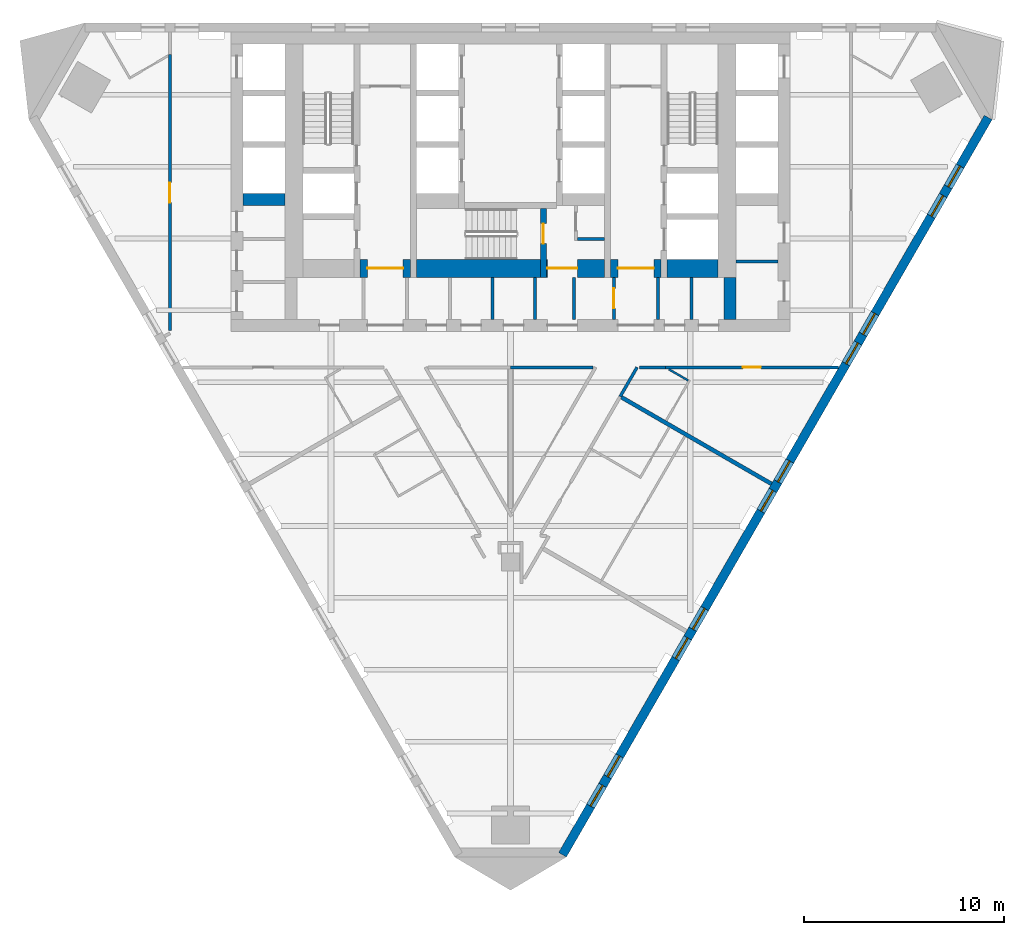
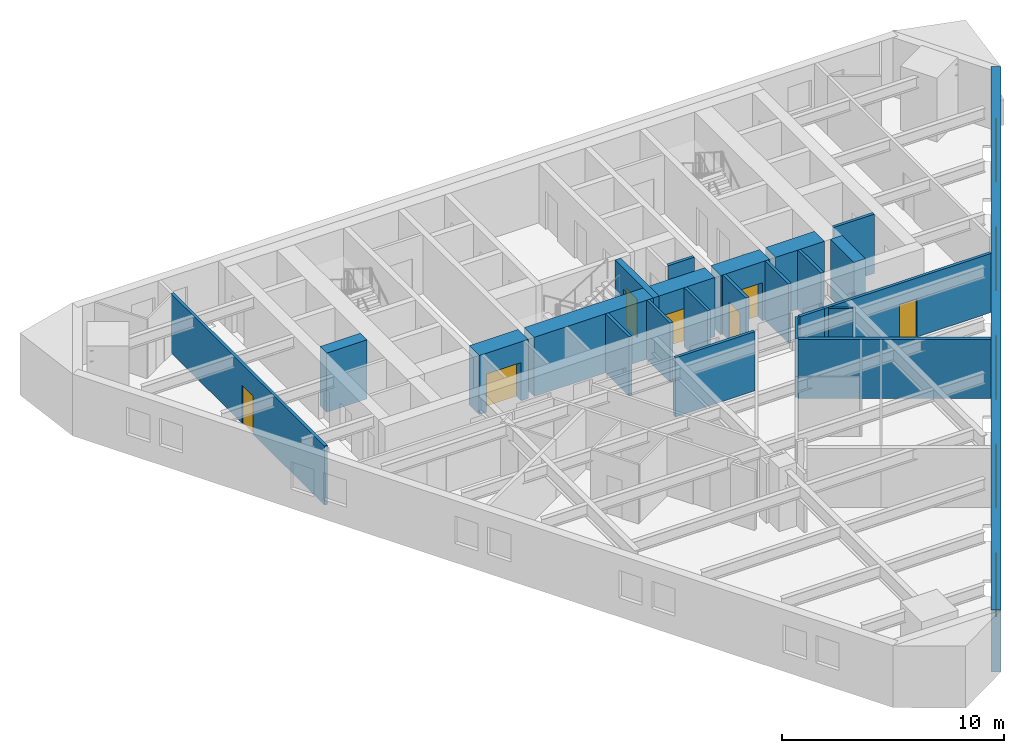
# One storey, part 4 of 9: 24 walls, 10 windows, 7 doors, 17 openings.
"""IFC4 building model written with IfcOpenShell, lengths in metres."""

import ifcopenshell
import ifcopenshell.guid

model = None  # the IFC model being written
_history = None  # IfcOwnerHistory: only IFC2X3 demands one
_inside = {}  # id of a spatial element -> (the spatial element, [elements in it])
_under = {}  # id of a project, library or spatial element -> (it, [spatial elements below it])
_declared = {}  # id of a project -> (the project, [libraries it declares])
_typed = {}  # id of a type object -> (the type object, [elements of that type])
_made_of = {}  # id of a material, layer set ... -> (it, [elements and type objects made of it])


def new_model(schema):
    """Start an empty IFC model of exactly this schema.

    Asked for "IFC4X3", IfcOpenShell would pick the latest addendum, in which some entities
    have other attributes; the version numbers below select the first issue.
    IFC2X3 requires an IfcOwnerHistory on every rooted entity: one is made here for all.
    """
    global model, _history
    if schema == "IFC4X3":
        model = ifcopenshell.file(schema_version=(4, 3, 0, 0))
    else:
        model = ifcopenshell.file(schema=schema)
    _inside.clear()
    _under.clear()
    _declared.clear()
    _typed.clear()
    _made_of.clear()
    _history = None
    if model.schema == "IFC2X3":
        org = make("IfcOrganization", Name="unknown")
        user = make(
            "IfcPersonAndOrganization",
            ThePerson=make("IfcPerson", FamilyName="unknown"),
            TheOrganization=org,
        )
        app = make(
            "IfcApplication",
            ApplicationDeveloper=org,
            Version="unknown",
            ApplicationFullName="unknown",
            ApplicationIdentifier="unknown",
        )
        _history = make(
            "IfcOwnerHistory",
            OwningUser=user,
            OwningApplication=app,
            ChangeAction="ADDED",
            CreationDate=0,
        )
    return model


def make(cls, **values):
    """One entity of the class cls with the attributes given. An attribute that is None is left unset."""
    return model.create_entity(
        cls, **{name: value for name, value in values.items() if value is not None}
    )


def rooted(cls, **values):
    """An entity with a GlobalId (a new one), such as an element, a storey or a relation."""
    return make(cls, GlobalId=ifcopenshell.guid.new(), OwnerHistory=_history, **values)


def si_unit(unit_type, name, prefix=None):
    """IfcSIUnit, for example si_unit("LENGTHUNIT", "METRE", prefix="MILLI")."""
    return make("IfcSIUnit", UnitType=unit_type, Prefix=prefix, Name=name)


def assignment(units):
    """IfcUnitAssignment: the units of a project."""
    return None if units is None else make("IfcUnitAssignment", Units=units)


def point(xyz):
    """IfcCartesianPoint."""
    return None if xyz is None else make("IfcCartesianPoint", Coordinates=xyz)


def direction(xyz):
    """IfcDirection."""
    return None if xyz is None else make("IfcDirection", DirectionRatios=xyz)


def frame(location, z_axis=None, x_axis=None):
    """IfcAxis2Placement3D, a coordinate frame: its origin and axes. An axis left out is left unset."""
    return make(
        "IfcAxis2Placement3D",
        Location=point(location),
        Axis=direction(z_axis),
        RefDirection=direction(x_axis),
    )


def frame_2d(location, x_axis=None):
    """IfcAxis2Placement2D, a coordinate frame in the plane: its origin and x axis."""
    return make(
        "IfcAxis2Placement2D", Location=point(location), RefDirection=direction(x_axis)
    )


def origin():
    """The frame at (0, 0, 0) with its axes left unset."""
    return frame((0.0, 0.0, 0.0))


def place(relative_to, where):
    """IfcLocalPlacement: puts the frame where relative to a parent placement (None: the world)."""
    return make(
        "IfcLocalPlacement", PlacementRelTo=relative_to, RelativePlacement=where
    )


def context(
    kind, dimensions, precision=None, world=None, true_north=None, identifier=None
):
    """IfcGeometricRepresentationContext, for example the 3D "Model" context."""
    return make(
        "IfcGeometricRepresentationContext",
        ContextIdentifier=identifier,
        ContextType=kind,
        CoordinateSpaceDimension=dimensions,
        Precision=precision,
        WorldCoordinateSystem=world,
        TrueNorth=true_north,
    )


def subcontext(parent, identifier, kind, view, scale=None):
    """IfcGeometricRepresentationSubContext, for example "Body" below "Model"."""
    return make(
        "IfcGeometricRepresentationSubContext",
        ContextIdentifier=identifier,
        ContextType=kind,
        ParentContext=parent,
        TargetScale=scale,
        TargetView=view,
    )


def project(units=None, contexts=None):
    """IfcProject with its units and contexts."""
    return rooted(
        "IfcProject",
        Name="project",
        RepresentationContexts=contexts,
        UnitsInContext=assignment(units),
    )


def spatial(cls, under=None, at=None, **own):
    """A site, building, storey or space (cls), placed at a placement, below another one or the project."""
    s = rooted(cls, ObjectPlacement=at, **own)
    if under is not None:
        _under.setdefault(under.id(), (under, []))[1].append(s)
    return s


def polyline(points):
    """IfcPolyline through the points."""
    return make("IfcPolyline", Points=[point(p) for p in points])


def profile(cls, at=None, kind="AREA", **sizes):
    """A parametric profile (cls). Its sizes go by their IFC names, for example OverallWidth=200.0."""
    return make(cls, ProfileType=kind, Position=at, **sizes)


def rectangle(**sizes):
    """IfcRectangleProfileDef."""
    return profile("IfcRectangleProfileDef", **sizes)


def outline(outer, holes=None, kind="AREA"):
    """IfcArbitraryClosedProfileDef: a profile drawn as a closed curve; with holes, ...WithVoids."""
    if holes is None:
        return make("IfcArbitraryClosedProfileDef", ProfileType=kind, OuterCurve=outer)
    return make(
        "IfcArbitraryProfileDefWithVoids",
        ProfileType=kind,
        OuterCurve=outer,
        InnerCurves=holes,
    )


def extrude(swept, where, along, depth):
    """IfcExtrudedAreaSolid: the profile swept, set in the frame where, extruded along a direction by depth."""
    return make(
        "IfcExtrudedAreaSolid",
        SweptArea=swept,
        Position=where,
        ExtrudedDirection=direction(along),
        Depth=depth,
    )


def shape(context_of_items, identifier, shape_type, items):
    """IfcShapeRepresentation: the items that make up one representation, for example the "Body"."""
    return make(
        "IfcShapeRepresentation",
        ContextOfItems=context_of_items,
        RepresentationIdentifier=identifier,
        RepresentationType=shape_type,
        Items=items,
    )


def material(Name=None, Category=None):
    """IfcMaterial."""
    return make("IfcMaterial", Name=Name, Category=Category)


def layer(
    of_material, thickness, ventilated=None, Name=None, Category=None, Priority=None
):
    """IfcMaterialLayer: one layer of a wall or slab, of a material (None: an air gap)."""
    return make(
        "IfcMaterialLayer",
        Material=of_material,
        LayerThickness=thickness,
        IsVentilated=ventilated,
        Name=Name,
        Category=Category,
        Priority=Priority,
    )


def layer_set(layers, Name=None):
    """IfcMaterialLayerSet."""
    return make("IfcMaterialLayerSet", MaterialLayers=layers, LayerSetName=Name)


def made_of(thing, what):
    """Note that an element or type object is made of a material, layer set ...; save() writes the relation."""
    if what is not None:
        _made_of.setdefault(what.id(), (what, []))[1].append(thing)
    return thing


def type_object(cls, material=None, **own):
    """A type object (cls), such as IfcWallType, which elements share."""
    return made_of(rooted(cls, **own), material)


def element(
    cls,
    number,
    at=None,
    inside=None,
    cuts=None,
    type_object=None,
    material=None,
    context=None,
    identifier="Body",
    shape_type=None,
    held_by="IfcProductDefinitionShape",
    body=None,
    shapes=None,
    **own,
):
    """One element of the class cls, such as IfcWall. Its Tag is "e" and its number.

    at: its placement. inside: the storey or other place that contains it. cuts: it is an
    opening in that element (IfcRelVoidsElement). A single representation is given by context,
    identifier, shape_type and body (its items); several are given by shapes. held_by: the class
    of the entity that holds the representations. save() writes the other relations.
    """
    e = rooted(cls, Tag="e%d" % number, ObjectPlacement=at, **own)
    if body is not None:
        shapes = [shape(context, identifier, shape_type, body)]
    if shapes is not None:
        e.Representation = make(held_by, Representations=shapes)
    if inside is not None:
        _inside.setdefault(inside.id(), (inside, []))[1].append(e)
    if cuts is not None:
        rooted(
            "IfcRelVoidsElement", RelatingBuildingElement=cuts, RelatedOpeningElement=e
        )
    if type_object is not None:
        _typed.setdefault(type_object.id(), (type_object, []))[1].append(e)
    return made_of(e, material)


def fill(opening, filler):
    """IfcRelFillsElement: the door or window that sits in an opening."""
    return rooted(
        "IfcRelFillsElement",
        RelatingOpeningElement=opening,
        RelatedBuildingElement=filler,
    )


def aggregate(whole, parts):
    """IfcRelAggregates: a whole, such as a stair, and the parts it consists of."""
    return rooted("IfcRelAggregates", RelatingObject=whole, RelatedObjects=parts)


def save(model, path):
    """Write the relations noted so far, then the file.

    IfcRelAggregates (storeys below a building ...), IfcRelContainedInSpatialStructure (elements
    in a storey), IfcRelDefinesByType, IfcRelAssociatesMaterial and IfcRelDeclares: one each for
    every whole, place, type object, material and project.
    """
    for whole, parts in _under.values():
        aggregate(whole, parts)
    for where, things in _inside.values():
        rooted(
            "IfcRelContainedInSpatialStructure",
            RelatedElements=things,
            RelatingStructure=where,
        )
    for kind, things in _typed.values():
        rooted("IfcRelDefinesByType", RelatedObjects=things, RelatingType=kind)
    for what, things in _made_of.values():
        rooted("IfcRelAssociatesMaterial", RelatedObjects=things, RelatingMaterial=what)
    for by, libraries in _declared.values():
        rooted("IfcRelDeclares", RelatingContext=by, RelatedDefinitions=libraries)
    model.write(path)


model = new_model("IFC4")

# Units and contexts
model_context = context("Model", 3, precision=1e-05, world=origin(), true_north=direction((0.0, 1.0)))
body_context = subcontext(model_context, "Body", "Model", "MODEL_VIEW")
ifc_project = project(units=[si_unit("LENGTHUNIT", "METRE"), si_unit("AREAUNIT", "SQUARE_METRE"), si_unit("VOLUMEUNIT", "CUBIC_METRE"), si_unit("PLANEANGLEUNIT", "RADIAN"), si_unit("MASSUNIT", "GRAM", prefix="KILO")], contexts=[model_context])

# Site, building, storey
site_placement = place(None, origin())
site = spatial("IfcSite", under=ifc_project, at=site_placement, CompositionType="ELEMENT")
building_placement = place(site_placement, origin())
building = spatial("IfcBuilding", under=site, at=building_placement, Name="Aloe Facet Convention Tower", CompositionType="ELEMENT")
storey_placement = place(building_placement, frame((0.0, 0.0, 120.300048828125)))
storey = spatial("IfcBuildingStorey", under=building, at=storey_placement, Name="L30", CompositionType="ELEMENT", Elevation=120.300048828125)

# Walls
ifc_material_1 = material(Name="Concrete blockwork partition", Category="masonry")
ifc_layer_1 = layer(ifc_material_1, 0.14990234375)
ifc_layer_set_1 = layer_set([ifc_layer_1], Name="CR-W-PART150")
wall_type_1 = type_object("IfcWallType", Name="CR-W-PART150", PredefinedType="PARTITIONING", material=ifc_layer_set_1)
for number, where, z_axis, x_axis, name in (
    (1, (79.091552734375, 122.25, 0.0), (0.0, 0.0, 1.0), (0.0, -1.0, 0.0), "Core partition L30-027"),
    (2, (81.22509765625, 122.25, 0.0), (0.0, 0.0, 1.0), (0.0, -1.0, 0.0), "Core partition L30-028"),
    (3, (83.175048828125, 122.25, 0.0), (0.0, 0.0, 1.0), (0.0, -1.0, 0.0), "Core partition L30-035"),
):
    element("IfcWall", number, at=place(storey_placement, frame(where, z_axis=z_axis, x_axis=x_axis)), inside=storey, type_object=wall_type_1, Name=name, PredefinedType="PARTITIONING", context=body_context, shape_type="SweptSolid", body=[
        extrude(rectangle(XDim=2.10009765625, YDim=0.14990234375, at=frame_2d((1.050048828125, 0.0))), origin(), (0.0, 0.0, 1.0), 3.25),
    ])
wall_1_placement = place(storey_placement, frame((83.35009765625, 124.175048828125, 0.0), z_axis=(0.0, 0.0, 1.0), x_axis=(1.0, 0.0, 0.0)))
element("IfcWall", 4, at=wall_1_placement, inside=storey, type_object=wall_type_1, Name="Core partition L30-037", PredefinedType="PARTITIONING", context=body_context, shape_type="SweptSolid", body=[
    extrude(rectangle(XDim=1.349853515625, YDim=0.14990234375, at=frame_2d((0.6748046875, 0.0))), origin(), (0.0, 0.0, 1.0), 3.25),
])

# Wall, opening, door
wall_2_placement = place(storey_placement, frame((85.175048828125, 122.25, 0.0), z_axis=(0.0, 0.0, 1.0), x_axis=(0.0, -1.0, 0.0)))
wall_2 = element("IfcWall", 5, at=wall_2_placement, inside=storey, type_object=wall_type_1, Name="Core partition L30-041", PredefinedType="PARTITIONING", context=body_context, shape_type="SweptSolid", body=[
    extrude(rectangle(XDim=2.10009765625, YDim=0.14990234375, at=frame_2d((1.050048828125, 0.0))), origin(), (0.0, 0.0, 1.0), 3.25),
])
opening_1_placement = place(wall_2_placement, frame((0.550048828125, 0.0, 0.0)))
opening_1 = element("IfcOpeningElement", 6, at=opening_1_placement, cuts=wall_2, Name="Opening L30-CD27", PredefinedType="OPENING", context=body_context, shape_type="SweptSolid", body=[
    extrude(rectangle(XDim=1.0, YDim=2.10009765625, at=frame_2d((0.5, 1.050048828125))), frame((0.0, 0.0849609375, 0.0), z_axis=(0.0, -1.0, 0.0), x_axis=(1.0, 0.0, 0.0)), (0.0, 0.0, 1.0), 0.169921875),
])
ifc_material_2 = material(Name="Steel fire-resisting door set FD60", Category="steel")
door_type_1 = type_object("IfcDoorType", Name="CR-D-ROOM-1000-FD60-SRIGHT", OperationType="SINGLE_SWING_RIGHT", PredefinedType="DOOR", material=ifc_material_2)
door_1_placement = place(opening_1_placement, origin())
door_1 = element("IfcDoor", 7, at=door_1_placement, inside=storey, type_object=door_type_1, Name="Core door L30-CD27", OperationType="SINGLE_SWING_RIGHT", OverallHeight=2.10009765625, OverallWidth=1.0, PredefinedType="DOOR", context=body_context, shape_type="SweptSolid", body=[
    extrude(rectangle(XDim=1.0, YDim=2.10009765625, at=frame_2d((0.5, 1.050048828125))), frame((0.0, 0.02490234375, 0.0), z_axis=(0.0, -1.0, 0.0), x_axis=(1.0, 0.0, 0.0)), (0.0, 0.0, 1.0), 0.050048828125),
])
fill(opening_1, door_1)

# Walls
for number, where, z_axis, x_axis, name in (
    (8, (87.375, 122.25, 0.0), (0.0, 0.0, 1.0), (0.0, -1.0, 0.0), "Core partition L30-042"),
    (9, (89.074951171875, 122.25, 0.0), (0.0, 0.0, 1.0), (0.0, -1.0, 0.0), "Core partition L30-047"),
):
    element("IfcWall", number, at=place(storey_placement, frame(where, z_axis=z_axis, x_axis=x_axis)), inside=storey, type_object=wall_type_1, Name=name, PredefinedType="PARTITIONING", context=body_context, shape_type="SweptSolid", body=[
        extrude(rectangle(XDim=2.10009765625, YDim=0.14990234375, at=frame_2d((1.050048828125, 0.0))), origin(), (0.0, 0.0, 1.0), 3.25),
    ])
wall_3_placement = place(storey_placement, frame((91.300048828125, 123.048583984375, 0.0), z_axis=(0.0, 0.0, 1.0), x_axis=(1.0, 0.0, 0.0)))
element("IfcWall", 10, at=wall_3_placement, inside=storey, type_object=wall_type_1, Name="Core partition L30-053", PredefinedType="PARTITIONING", context=body_context, shape_type="SweptSolid", body=[
    extrude(rectangle(XDim=2.099853515625, YDim=0.14990234375, at=frame_2d((1.0498046875, 0.0))), origin(), (0.0, 0.0, 1.0), 3.25),
])

# Wall, opening, door
ifc_material_3 = material(Name="Concrete C70/85", Category="concrete")
ifc_layer_2 = layer(ifc_material_3, 0.300048828125)
ifc_layer_set_2 = layer_set([ifc_layer_2], Name="CR-W-RC300-C7085")
wall_type_2 = type_object("IfcWallType", Name="CR-W-RC300-C7085", PredefinedType="SOLIDWALL", material=ifc_layer_set_2)
wall_4_placement = place(storey_placement, frame((81.64990234375, 125.699951171875, 0.0), z_axis=(0.0, 0.0, 1.0), x_axis=(0.0, -1.0, 0.0)))
wall_4 = element("IfcWall", 11, at=wall_4_placement, inside=storey, type_object=wall_type_2, Name="Core wall L30-029", PredefinedType="SOLIDWALL", context=body_context, shape_type="SweptSolid", body=[
    extrude(rectangle(XDim=3.449951171875, YDim=0.300048828125, at=frame_2d((1.72509765625, 0.0))), origin(), (0.0, 0.0, 1.0), 3.25),
])
opening_2_placement = place(wall_4_placement, frame((0.75, 0.0, 0.0)))
opening_2 = element("IfcOpeningElement", 12, at=opening_2_placement, cuts=wall_4, Name="Opening L30-CD32", PredefinedType="OPENING", context=body_context, shape_type="SweptSolid", body=[
    extrude(rectangle(XDim=1.0, YDim=2.10009765625, at=frame_2d((0.5, 1.050048828125))), frame((0.0, 0.16015625, 0.0), z_axis=(0.0, -1.0, 0.0), x_axis=(1.0, 0.0, 0.0)), (0.0, 0.0, 1.0), 0.320068359375),
])
ifc_material_4 = material(Name="Steel fire-resisting door set FD120", Category="steel")
door_type_2 = type_object("IfcDoorType", Name="CR-D-STAIR-1000-FD120-SLEFT", OperationType="SINGLE_SWING_LEFT", PredefinedType="DOOR", material=ifc_material_4)
door_2_placement = place(opening_2_placement, origin())
door_2 = element("IfcDoor", 13, at=door_2_placement, inside=storey, type_object=door_type_2, Name="Core door L30-CD32", OperationType="SINGLE_SWING_LEFT", OverallHeight=2.10009765625, OverallWidth=1.0, PredefinedType="DOOR", context=body_context, shape_type="SweptSolid", body=[
    extrude(rectangle(XDim=1.0, YDim=2.10009765625, at=frame_2d((0.5, 1.050048828125))), frame((0.0, 0.02490234375, 0.0), z_axis=(0.0, -1.0, 0.0), x_axis=(1.0, 0.0, 0.0)), (0.0, 0.0, 1.0), 0.050048828125),
])
fill(opening_2, door_2)

# Walls
ifc_material_5 = material(Name="Concrete C70/85", Category="concrete")
ifc_layer_3 = layer(ifc_material_5, 0.60009765625)
ifc_layer_set_3 = layer_set([ifc_layer_3], Name="CR-W-RC600-C7085")
wall_type_3 = type_object("IfcWallType", Name="CR-W-RC600-C7085", PredefinedType="SOLIDWALL", material=ifc_layer_set_3)
wall_5_placement = place(storey_placement, frame((66.60009765625, 126.14990234375, 0.0), z_axis=(0.0, 0.0, 1.0), x_axis=(1.0, 0.0, 0.0)))
element("IfcWall", 14, at=wall_5_placement, inside=storey, type_object=wall_type_3, Name="Core wall L30-006", PredefinedType="SOLIDWALL", context=body_context, shape_type="SweptSolid", body=[
    extrude(rectangle(XDim=2.099853515625, YDim=0.60009765625, at=frame_2d((1.0498046875, 0.0))), origin(), (0.0, 0.0, 1.0), 3.25),
])
wall_6_placement = place(storey_placement, frame((91.0, 122.25, 0.0), z_axis=(0.0, 0.0, 1.0), x_axis=(0.0, -1.0, 0.0)))
element("IfcWall", 15, at=wall_6_placement, inside=storey, type_object=wall_type_3, Name="Core wall L30-049", PredefinedType="SOLIDWALL", context=body_context, shape_type="SweptSolid", body=[
    extrude(rectangle(XDim=2.10009765625, YDim=0.60009765625, at=frame_2d((1.050048828125, 0.0))), origin(), (0.0, 0.0, 1.0), 3.25),
])

# Wall, opening, door
ifc_material_6 = material(Name="Concrete C70/85", Category="concrete")
ifc_layer_4 = layer(ifc_material_6, 0.89990234375)
ifc_layer_set_4 = layer_set([ifc_layer_4], Name="CR-W-RC900-C7085")
wall_type_4 = type_object("IfcWallType", Name="CR-W-RC900-C7085", PredefinedType="SOLIDWALL", material=ifc_layer_set_4)
wall_7_placement = place(storey_placement, frame((72.449951171875, 122.699951171875, 0.0), z_axis=(0.0, 0.0, 1.0), x_axis=(1.0, 0.0, 0.0)))
wall_7 = element("IfcWall", 16, at=wall_7_placement, inside=storey, type_object=wall_type_4, Name="Core wall L30-016", PredefinedType="SOLIDWALL", context=body_context, shape_type="SweptSolid", body=[
    extrude(rectangle(XDim=2.550048828125, YDim=0.89990234375, at=frame_2d((1.27490234375, 0.0))), origin(), (0.0, 0.0, 1.0), 3.25),
])
opening_3_placement = place(wall_7_placement, frame((0.375, 0.0, 0.0)))
opening_3 = element("IfcOpeningElement", 17, at=opening_3_placement, cuts=wall_7, Name="Opening L30-CD14", PredefinedType="OPENING", context=body_context, shape_type="SweptSolid", body=[
    extrude(rectangle(XDim=1.800048828125, YDim=2.10009765625, at=frame_2d((0.89990234375, 1.050048828125))), frame((0.0, 0.4599609375, 0.0), z_axis=(0.0, -1.0, 0.0), x_axis=(1.0, 0.0, 0.0)), (0.0, 0.0, 1.0), 0.919921875),
])
ifc_material_7 = material(Name="Steel fire-resisting door set FD120", Category="steel")
door_type_3 = type_object("IfcDoorType", Name="CR-D-EXIT-1800-FD120-DD", OperationType="DOUBLE_DOOR_DOUBLE_SWING", PredefinedType="DOOR", material=ifc_material_7)
door_3_placement = place(opening_3_placement, origin())
door_3 = element("IfcDoor", 18, at=door_3_placement, inside=storey, type_object=door_type_3, Name="Core door L30-CD14", OperationType="DOUBLE_DOOR_DOUBLE_SWING", OverallHeight=2.10009765625, OverallWidth=1.800048828125, PredefinedType="DOOR", context=body_context, shape_type="SweptSolid", body=[
    extrude(rectangle(XDim=1.800048828125, YDim=2.10009765625, at=frame_2d((0.89990234375, 1.050048828125))), frame((0.0, 0.02490234375, 0.0), z_axis=(0.0, -1.0, 0.0), x_axis=(1.0, 0.0, 0.0)), (0.0, 0.0, 1.0), 0.050048828125),
])
fill(opening_3, door_3)

# Wall
wall_8_placement = place(storey_placement, frame((75.300048828125, 122.699951171875, 0.0), z_axis=(0.0, 0.0, 1.0), x_axis=(1.0, 0.0, 0.0)))
element("IfcWall", 19, at=wall_8_placement, inside=storey, type_object=wall_type_4, Name="Core wall L30-023", PredefinedType="SOLIDWALL", context=body_context, shape_type="SweptSolid", body=[
    extrude(rectangle(XDim=6.199951171875, YDim=0.89990234375, at=frame_2d((3.10009765625, 0.0))), origin(), (0.0, 0.0, 1.0), 3.25),
])

# Wall, opening, door
wall_9_placement = place(storey_placement, frame((81.800048828125, 122.699951171875, 0.0), z_axis=(0.0, 0.0, 1.0), x_axis=(1.0, 0.0, 0.0)))
wall_9 = element("IfcWall", 20, at=wall_9_placement, inside=storey, type_object=wall_type_4, Name="Core wall L30-030", PredefinedType="SOLIDWALL", context=body_context, shape_type="SweptSolid", body=[
    extrude(rectangle(XDim=2.89990234375, YDim=0.89990234375, at=frame_2d((1.449951171875, 0.0))), origin(), (0.0, 0.0, 1.0), 3.25),
])
opening_4_placement = place(wall_9_placement, frame((0.050048828125, 0.0, 0.0)))
opening_4 = element("IfcOpeningElement", 21, at=opening_4_placement, cuts=wall_9, Name="Opening L30-CD15", PredefinedType="OPENING", context=body_context, shape_type="SweptSolid", body=[
    extrude(rectangle(XDim=1.5, YDim=2.10009765625, at=frame_2d((0.75, 1.050048828125))), frame((0.0, 0.4599609375, 0.0), z_axis=(0.0, -1.0, 0.0), x_axis=(1.0, 0.0, 0.0)), (0.0, 0.0, 1.0), 0.919921875),
])
ifc_material_8 = material(Name="Steel fire-resisting door set FD60", Category="steel")
door_type_4 = type_object("IfcDoorType", Name="CR-D-EXIT-1500-FD60-DD", OperationType="DOUBLE_DOOR_DOUBLE_SWING", PredefinedType="DOOR", material=ifc_material_8)
door_4_placement = place(opening_4_placement, origin())
door_4 = element("IfcDoor", 22, at=door_4_placement, inside=storey, type_object=door_type_4, Name="Core door L30-CD15", OperationType="DOUBLE_DOOR_DOUBLE_SWING", OverallHeight=2.10009765625, OverallWidth=1.5, PredefinedType="DOOR", context=body_context, shape_type="SweptSolid", body=[
    extrude(rectangle(XDim=1.5, YDim=2.10009765625, at=frame_2d((0.75, 1.050048828125))), frame((0.0, 0.02490234375, 0.0), z_axis=(0.0, -1.0, 0.0), x_axis=(1.0, 0.0, 0.0)), (0.0, 0.0, 1.0), 0.050048828125),
])
fill(opening_4, door_4)

wall_10_placement = place(storey_placement, frame((85.0, 122.699951171875, 0.0), z_axis=(0.0, 0.0, 1.0), x_axis=(1.0, 0.0, 0.0)))
wall_10 = element("IfcWall", 23, at=wall_10_placement, inside=storey, type_object=wall_type_4, Name="Core wall L30-040", PredefinedType="SOLIDWALL", context=body_context, shape_type="SweptSolid", body=[
    extrude(rectangle(XDim=2.550048828125, YDim=0.89990234375, at=frame_2d((1.27490234375, 0.0))), origin(), (0.0, 0.0, 1.0), 3.25),
])
opening_5_placement = place(wall_10_placement, frame((0.375, 0.0, 0.0)))
opening_5 = element("IfcOpeningElement", 24, at=opening_5_placement, cuts=wall_10, Name="Opening L30-CD13", PredefinedType="OPENING", context=body_context, shape_type="SweptSolid", body=[
    extrude(rectangle(XDim=1.800048828125, YDim=2.10009765625, at=frame_2d((0.89990234375, 1.050048828125))), frame((0.0, 0.4599609375, 0.0), z_axis=(0.0, -1.0, 0.0), x_axis=(1.0, 0.0, 0.0)), (0.0, 0.0, 1.0), 0.919921875),
])
door_5_placement = place(opening_5_placement, origin())
door_5 = element("IfcDoor", 25, at=door_5_placement, inside=storey, type_object=door_type_3, Name="Core door L30-CD13", OperationType="DOUBLE_DOOR_DOUBLE_SWING", OverallHeight=2.10009765625, OverallWidth=1.800048828125, PredefinedType="DOOR", context=body_context, shape_type="SweptSolid", body=[
    extrude(rectangle(XDim=1.800048828125, YDim=2.10009765625, at=frame_2d((0.89990234375, 1.050048828125))), frame((0.0, 0.02490234375, 0.0), z_axis=(0.0, -1.0, 0.0), x_axis=(1.0, 0.0, 0.0)), (0.0, 0.0, 1.0), 0.050048828125),
])
fill(opening_5, door_5)

# Wall
wall_11_placement = place(storey_placement, frame((87.85009765625, 122.699951171875, 0.0), z_axis=(0.0, 0.0, 1.0), x_axis=(1.0, 0.0, 0.0)))
element("IfcWall", 26, at=wall_11_placement, inside=storey, type_object=wall_type_4, Name="Core wall L30-046", PredefinedType="SOLIDWALL", context=body_context, shape_type="SweptSolid", body=[
    extrude(rectangle(XDim=2.5498046875, YDim=0.89990234375, at=frame_2d((1.27490234375, 0.0))), origin(), (0.0, 0.0, 1.0), 3.25),
])

# Wall, openings, windows
ifc_material_9 = material(Name="Precast concrete C40/50", Category="concrete")
ifc_layer_5 = layer(ifc_material_9, 0.449951171875)
ifc_layer_set_5 = layer_set([ifc_layer_5], Name="EV-WALL-STONE")
wall_type_5 = type_object("IfcWallType", Name="EV-WALL-STONE", PredefinedType="SOLIDWALL", material=ifc_layer_set_5)
wall_12_placement = place(storey_placement, frame((82.605224609375, 93.332763671875, -0.150146484375), z_axis=(0.0, 0.0, 1.0), x_axis=(0.500000478905, 0.866025127289, 0.0)))
wall_12 = element("IfcWall", 27, at=wall_12_placement, inside=storey, type_object=wall_type_5, Name="EW-L30-E01", PredefinedType="SOLIDWALL", context=body_context, shape_type="SweptSolid", body=[
    extrude(outline(polyline([(42.64306640625, 0.0), (42.64306640625, 3.400146484375), (0.0, 3.400146484375), (0.0, 0.0), (42.64306640625, 0.0)])), frame((0.0, 0.22509765625, 0.0), z_axis=(0.0, -1.0, 0.0), x_axis=(1.0, 0.0, 0.0)), (0.0, 0.0, 1.0), 0.449951171875),
])
opening_6_placement = place(wall_12_placement, frame((2.814208984375, 0.0, 1.050048828125)))
opening_6 = element("IfcOpeningElement", 28, at=opening_6_placement, cuts=wall_12, Name="Opening W-L30-E01", PredefinedType="OPENING", context=body_context, shape_type="SweptSolid", body=[
    extrude(rectangle(XDim=1.199951171875, YDim=1.5, at=frame_2d((0.60009765625, 0.75))), frame((0.0, 0.23486328125, 0.0), z_axis=(0.0, -1.0, 0.0), x_axis=(1.0, 0.0, 0.0)), (0.0, 0.0, 1.0), 0.469970703125),
])
opening_7_placement = place(wall_12_placement, frame((4.514404296875, 0.0, 1.050048828125)))
opening_7 = element("IfcOpeningElement", 29, at=opening_7_placement, cuts=wall_12, Name="Opening W-L30-E02", PredefinedType="OPENING", context=body_context, shape_type="SweptSolid", body=[
    extrude(rectangle(XDim=1.199951171875, YDim=1.5, at=frame_2d((0.60009765625, 0.75))), frame((0.0, 0.23486328125, 0.0), z_axis=(0.0, -1.0, 0.0), x_axis=(1.0, 0.0, 0.0)), (0.0, 0.0, 1.0), 0.469970703125),
])
opening_8_placement = place(wall_12_placement, frame((11.343017578125, 0.0, 1.050048828125)))
opening_8 = element("IfcOpeningElement", 30, at=opening_8_placement, cuts=wall_12, Name="Opening W-L30-E03", PredefinedType="OPENING", context=body_context, shape_type="SweptSolid", body=[
    extrude(rectangle(XDim=1.199951171875, YDim=1.5, at=frame_2d((0.60009765625, 0.75))), frame((0.0, 0.23486328125, 0.0), z_axis=(0.0, -1.0, 0.0), x_axis=(1.0, 0.0, 0.0)), (0.0, 0.0, 1.0), 0.469970703125),
])
opening_9_placement = place(wall_12_placement, frame((13.04296875, 0.0, 1.050048828125)))
opening_9 = element("IfcOpeningElement", 31, at=opening_9_placement, cuts=wall_12, Name="Opening W-L30-E04", PredefinedType="OPENING", context=body_context, shape_type="SweptSolid", body=[
    extrude(rectangle(XDim=1.199951171875, YDim=1.5, at=frame_2d((0.60009765625, 0.75))), frame((0.0, 0.23486328125, 0.0), z_axis=(0.0, -1.0, 0.0), x_axis=(1.0, 0.0, 0.0)), (0.0, 0.0, 1.0), 0.469970703125),
])
opening_10_placement = place(wall_12_placement, frame((19.87158203125, 0.0, 1.050048828125)))
opening_10 = element("IfcOpeningElement", 32, at=opening_10_placement, cuts=wall_12, Name="Opening W-L30-E05", PredefinedType="OPENING", context=body_context, shape_type="SweptSolid", body=[
    extrude(rectangle(XDim=1.199951171875, YDim=1.5, at=frame_2d((0.60009765625, 0.75))), frame((0.0, 0.23486328125, 0.0), z_axis=(0.0, -1.0, 0.0), x_axis=(1.0, 0.0, 0.0)), (0.0, 0.0, 1.0), 0.469970703125),
])
opening_11_placement = place(wall_12_placement, frame((21.571533203125, 0.0, 1.050048828125)))
opening_11 = element("IfcOpeningElement", 33, at=opening_11_placement, cuts=wall_12, Name="Opening W-L30-E06", PredefinedType="OPENING", context=body_context, shape_type="SweptSolid", body=[
    extrude(rectangle(XDim=1.199951171875, YDim=1.5, at=frame_2d((0.60009765625, 0.75))), frame((0.0, 0.23486328125, 0.0), z_axis=(0.0, -1.0, 0.0), x_axis=(1.0, 0.0, 0.0)), (0.0, 0.0, 1.0), 0.469970703125),
])
opening_12_placement = place(wall_12_placement, frame((28.400146484375, 0.0, 1.050048828125)))
opening_12 = element("IfcOpeningElement", 34, at=opening_12_placement, cuts=wall_12, Name="Opening W-L30-E07", PredefinedType="OPENING", context=body_context, shape_type="SweptSolid", body=[
    extrude(rectangle(XDim=1.199951171875, YDim=1.5, at=frame_2d((0.60009765625, 0.75))), frame((0.0, 0.23486328125, 0.0), z_axis=(0.0, -1.0, 0.0), x_axis=(1.0, 0.0, 0.0)), (0.0, 0.0, 1.0), 0.469970703125),
])
opening_13_placement = place(wall_12_placement, frame((30.10009765625, 0.0, 1.050048828125)))
opening_13 = element("IfcOpeningElement", 35, at=opening_13_placement, cuts=wall_12, Name="Opening W-L30-E08", PredefinedType="OPENING", context=body_context, shape_type="SweptSolid", body=[
    extrude(rectangle(XDim=1.199951171875, YDim=1.5, at=frame_2d((0.60009765625, 0.75))), frame((0.0, 0.23486328125, 0.0), z_axis=(0.0, -1.0, 0.0), x_axis=(1.0, 0.0, 0.0)), (0.0, 0.0, 1.0), 0.469970703125),
])
opening_14_placement = place(wall_12_placement, frame((36.9287109375, 0.0, 1.050048828125)))
opening_14 = element("IfcOpeningElement", 36, at=opening_14_placement, cuts=wall_12, Name="Opening W-L30-E09", PredefinedType="OPENING", context=body_context, shape_type="SweptSolid", body=[
    extrude(rectangle(XDim=1.199951171875, YDim=1.5, at=frame_2d((0.60009765625, 0.75))), frame((0.0, 0.23486328125, 0.0), z_axis=(0.0, -1.0, 0.0), x_axis=(1.0, 0.0, 0.0)), (0.0, 0.0, 1.0), 0.469970703125),
])
opening_15_placement = place(wall_12_placement, frame((38.628662109375, 0.0, 1.050048828125)))
opening_15 = element("IfcOpeningElement", 37, at=opening_15_placement, cuts=wall_12, Name="Opening W-L30-E10", PredefinedType="OPENING", context=body_context, shape_type="SweptSolid", body=[
    extrude(rectangle(XDim=1.199951171875, YDim=1.5, at=frame_2d((0.60009765625, 0.75))), frame((0.0, 0.23486328125, 0.0), z_axis=(0.0, -1.0, 0.0), x_axis=(1.0, 0.0, 0.0)), (0.0, 0.0, 1.0), 0.469970703125),
])
ifc_material_10 = material(Name="Aluminium frame, clear double glazing", Category="aluminium")
window_type = type_object("IfcWindowType", Name="EV-WIN-H12", PartitioningType="SINGLE_PANEL", PredefinedType="WINDOW", material=ifc_material_10)
window_1_placement = place(opening_6_placement, origin())
window_1 = element("IfcWindow", 38, at=window_1_placement, inside=storey, type_object=window_type, Name="W-L30-E01", OverallHeight=1.5, OverallWidth=1.199951171875, PartitioningType="SINGLE_PANEL", PredefinedType="WINDOW", context=body_context, shape_type="SweptSolid", body=[
    extrude(rectangle(XDim=1.199951171875, YDim=1.5, at=frame_2d((0.60009765625, 0.75))), frame((0.0, 0.030029296875, 0.0), z_axis=(0.0, -1.0, 0.0), x_axis=(1.0, 0.0, 0.0)), (0.0, 0.0, 1.0), 0.06005859375),
])
fill(opening_6, window_1)
window_2_placement = place(opening_7_placement, origin())
window_2 = element("IfcWindow", 39, at=window_2_placement, inside=storey, type_object=window_type, Name="W-L30-E02", OverallHeight=1.5, OverallWidth=1.199951171875, PartitioningType="SINGLE_PANEL", PredefinedType="WINDOW", context=body_context, shape_type="SweptSolid", body=[
    extrude(rectangle(XDim=1.199951171875, YDim=1.5, at=frame_2d((0.60009765625, 0.75))), frame((0.0, 0.030029296875, 0.0), z_axis=(0.0, -1.0, 0.0), x_axis=(1.0, 0.0, 0.0)), (0.0, 0.0, 1.0), 0.06005859375),
])
fill(opening_7, window_2)
window_3_placement = place(opening_8_placement, origin())
window_3 = element("IfcWindow", 40, at=window_3_placement, inside=storey, type_object=window_type, Name="W-L30-E03", OverallHeight=1.5, OverallWidth=1.199951171875, PartitioningType="SINGLE_PANEL", PredefinedType="WINDOW", context=body_context, shape_type="SweptSolid", body=[
    extrude(rectangle(XDim=1.199951171875, YDim=1.5, at=frame_2d((0.60009765625, 0.75))), frame((0.0, 0.030029296875, 0.0), z_axis=(0.0, -1.0, 0.0), x_axis=(1.0, 0.0, 0.0)), (0.0, 0.0, 1.0), 0.06005859375),
])
fill(opening_8, window_3)
window_4_placement = place(opening_9_placement, origin())
window_4 = element("IfcWindow", 41, at=window_4_placement, inside=storey, type_object=window_type, Name="W-L30-E04", OverallHeight=1.5, OverallWidth=1.199951171875, PartitioningType="SINGLE_PANEL", PredefinedType="WINDOW", context=body_context, shape_type="SweptSolid", body=[
    extrude(rectangle(XDim=1.199951171875, YDim=1.5, at=frame_2d((0.60009765625, 0.75))), frame((0.0, 0.030029296875, 0.0), z_axis=(0.0, -1.0, 0.0), x_axis=(1.0, 0.0, 0.0)), (0.0, 0.0, 1.0), 0.06005859375),
])
fill(opening_9, window_4)
window_5_placement = place(opening_10_placement, origin())
window_5 = element("IfcWindow", 42, at=window_5_placement, inside=storey, type_object=window_type, Name="W-L30-E05", OverallHeight=1.5, OverallWidth=1.199951171875, PartitioningType="SINGLE_PANEL", PredefinedType="WINDOW", context=body_context, shape_type="SweptSolid", body=[
    extrude(rectangle(XDim=1.199951171875, YDim=1.5, at=frame_2d((0.60009765625, 0.75))), frame((0.0, 0.030029296875, 0.0), z_axis=(0.0, -1.0, 0.0), x_axis=(1.0, 0.0, 0.0)), (0.0, 0.0, 1.0), 0.06005859375),
])
fill(opening_10, window_5)
window_6_placement = place(opening_11_placement, origin())
window_6 = element("IfcWindow", 43, at=window_6_placement, inside=storey, type_object=window_type, Name="W-L30-E06", OverallHeight=1.5, OverallWidth=1.199951171875, PartitioningType="SINGLE_PANEL", PredefinedType="WINDOW", context=body_context, shape_type="SweptSolid", body=[
    extrude(rectangle(XDim=1.199951171875, YDim=1.5, at=frame_2d((0.60009765625, 0.75))), frame((0.0, 0.030029296875, 0.0), z_axis=(0.0, -1.0, 0.0), x_axis=(1.0, 0.0, 0.0)), (0.0, 0.0, 1.0), 0.06005859375),
])
fill(opening_11, window_6)
window_7_placement = place(opening_12_placement, origin())
window_7 = element("IfcWindow", 44, at=window_7_placement, inside=storey, type_object=window_type, Name="W-L30-E07", OverallHeight=1.5, OverallWidth=1.199951171875, PartitioningType="SINGLE_PANEL", PredefinedType="WINDOW", context=body_context, shape_type="SweptSolid", body=[
    extrude(rectangle(XDim=1.199951171875, YDim=1.5, at=frame_2d((0.60009765625, 0.75))), frame((0.0, 0.030029296875, 0.0), z_axis=(0.0, -1.0, 0.0), x_axis=(1.0, 0.0, 0.0)), (0.0, 0.0, 1.0), 0.06005859375),
])
fill(opening_12, window_7)
window_8_placement = place(opening_13_placement, origin())
window_8 = element("IfcWindow", 45, at=window_8_placement, inside=storey, type_object=window_type, Name="W-L30-E08", OverallHeight=1.5, OverallWidth=1.199951171875, PartitioningType="SINGLE_PANEL", PredefinedType="WINDOW", context=body_context, shape_type="SweptSolid", body=[
    extrude(rectangle(XDim=1.199951171875, YDim=1.5, at=frame_2d((0.60009765625, 0.75))), frame((0.0, 0.030029296875, 0.0), z_axis=(0.0, -1.0, 0.0), x_axis=(1.0, 0.0, 0.0)), (0.0, 0.0, 1.0), 0.06005859375),
])
fill(opening_13, window_8)
window_9_placement = place(opening_14_placement, origin())
window_9 = element("IfcWindow", 46, at=window_9_placement, inside=storey, type_object=window_type, Name="W-L30-E09", OverallHeight=1.5, OverallWidth=1.199951171875, PartitioningType="SINGLE_PANEL", PredefinedType="WINDOW", context=body_context, shape_type="SweptSolid", body=[
    extrude(rectangle(XDim=1.199951171875, YDim=1.5, at=frame_2d((0.60009765625, 0.75))), frame((0.0, 0.030029296875, 0.0), z_axis=(0.0, -1.0, 0.0), x_axis=(1.0, 0.0, 0.0)), (0.0, 0.0, 1.0), 0.06005859375),
])
fill(opening_14, window_9)
window_10_placement = place(opening_15_placement, origin())
window_10 = element("IfcWindow", 47, at=window_10_placement, inside=storey, type_object=window_type, Name="W-L30-E10", OverallHeight=1.5, OverallWidth=1.199951171875, PartitioningType="SINGLE_PANEL", PredefinedType="WINDOW", context=body_context, shape_type="SweptSolid", body=[
    extrude(rectangle(XDim=1.199951171875, YDim=1.5, at=frame_2d((0.60009765625, 0.75))), frame((0.0, 0.030029296875, 0.0), z_axis=(0.0, -1.0, 0.0), x_axis=(1.0, 0.0, 0.0)), (0.0, 0.0, 1.0), 0.06005859375),
])
fill(opening_15, window_10)

# Walls
ifc_material_11 = material(Name="Gypsum board partition on steel studs", Category="steel")
ifc_layer_6 = layer(ifc_material_11, 0.14990234375)
ifc_layer_set_6 = layer_set([ifc_layer_6], Name="IN-W-CORR")
wall_type_6 = type_object("IfcWallType", Name="IN-W-CORR", PredefinedType="PARTITIONING", material=ifc_layer_set_6)
wall_13_placement = place(storey_placement, frame((85.493408203125, 116.28515625, 0.0), z_axis=(0.0, 0.0, 1.0), x_axis=(0.499988999718, 0.866031754707, 0.0)))
element("IfcWall", 48, at=wall_13_placement, inside=storey, type_object=wall_type_6, Name="Partition L30-W042", PredefinedType="PARTITIONING", context=body_context, shape_type="SweptSolid", body=[
    extrude(rectangle(XDim=1.69140625, YDim=0.14990234375, at=frame_2d((0.845703125, 0.0))), origin(), (0.0, 0.0, 1.0), 3.25),
])
wall_14_placement = place(storey_placement, frame((80.0, 117.75, 0.0), z_axis=(0.0, 0.0, 1.0), x_axis=(1.0, 0.0, 0.0)))
element("IfcWall", 49, at=wall_14_placement, inside=storey, type_object=wall_type_6, Name="Partition L30-W049", PredefinedType="PARTITIONING", context=body_context, shape_type="SweptSolid", body=[
    extrude(rectangle(XDim=4.130615234375, YDim=0.14990234375, at=frame_2d((2.0654296875, 0.0))), origin(), (0.0, 0.0, 1.0), 3.25),
])
wall_15_placement = place(storey_placement, frame((86.468994140625, 117.75, 0.0), z_axis=(0.0, 0.0, 1.0), x_axis=(1.0, 0.0, 0.0)))
element("IfcWall", 50, at=wall_15_placement, inside=storey, type_object=wall_type_6, Name="Partition L30-W050", PredefinedType="PARTITIONING", context=body_context, shape_type="SweptSolid", body=[
    extrude(rectangle(XDim=1.287353515625, YDim=0.14990234375, at=frame_2d((0.6435546875, 0.0))), origin(), (0.0, 0.0, 1.0), 3.25),
])

# Wall, opening, door
wall_16_placement = place(storey_placement, frame((87.75634765625, 117.75, 0.0), z_axis=(0.0, 0.0, 1.0), x_axis=(1.0, 0.0, 0.0)))
wall_16 = element("IfcWall", 51, at=wall_16_placement, inside=storey, type_object=wall_type_6, Name="Partition L30-W052", PredefinedType="PARTITIONING", context=body_context, shape_type="SweptSolid", body=[
    extrude(rectangle(XDim=8.6748046875, YDim=0.14990234375, at=frame_2d((4.33740234375, 0.0))), origin(), (0.0, 0.0, 1.0), 3.25),
])
opening_16_placement = place(wall_16_placement, frame((3.887451171875, 0.0, 0.0)))
opening_16 = element("IfcOpeningElement", 52, at=opening_16_placement, cuts=wall_16, Name="Opening L30-004", PredefinedType="OPENING", context=body_context, shape_type="SweptSolid", body=[
    extrude(rectangle(XDim=0.89990234375, YDim=2.10009765625, at=frame_2d((0.449951171875, 1.050048828125))), frame((0.0, 0.0849609375, 0.0), z_axis=(0.0, -1.0, 0.0), x_axis=(1.0, 0.0, 0.0)), (0.0, 0.0, 1.0), 0.169921875),
])
ifc_material_12 = material(Name="Hardwood flush door FD30S", Category="wood")
door_type_5 = type_object("IfcDoorType", Name="IN-D-GUEST", OperationType="SINGLE_SWING_LEFT", PredefinedType="DOOR", material=ifc_material_12)
door_6_placement = place(opening_16_placement, origin())
door_6 = element("IfcDoor", 53, at=door_6_placement, inside=storey, type_object=door_type_5, Name="Door L30-004", OperationType="SINGLE_SWING_LEFT", OverallHeight=2.10009765625, OverallWidth=0.89990234375, PredefinedType="DOOR", context=body_context, shape_type="SweptSolid", body=[
    extrude(rectangle(XDim=0.89990234375, YDim=2.10009765625, at=frame_2d((0.449951171875, 1.050048828125))), frame((0.0, 0.02490234375, 0.0), z_axis=(0.0, -1.0, 0.0), x_axis=(1.0, 0.0, 0.0)), (0.0, 0.0, 1.0), 0.050048828125),
])
fill(opening_16, door_6)

wall_17_placement = place(storey_placement, frame((62.94287109375, 119.586669921875, 0.0), z_axis=(0.0, 0.0, 1.0), x_axis=(0.0, 1.0, 0.0)))
wall_17 = element("IfcWall", 54, at=wall_17_placement, inside=storey, type_object=wall_type_6, Name="Partition L30-W054", PredefinedType="PARTITIONING", context=body_context, shape_type="SweptSolid", body=[
    extrude(rectangle(XDim=13.82275390625, YDim=0.14990234375, at=frame_2d((6.911376953125, 0.0))), origin(), (0.0, 0.0, 1.0), 3.25),
])
opening_17_placement = place(wall_17_placement, frame((6.411376953125, 0.0, 0.0)))
opening_17 = element("IfcOpeningElement", 55, at=opening_17_placement, cuts=wall_17, Name="Opening L30-001", PredefinedType="OPENING", context=body_context, shape_type="SweptSolid", body=[
    extrude(rectangle(XDim=1.0, YDim=2.10009765625, at=frame_2d((0.5, 1.050048828125))), frame((0.0, 0.0849609375, 0.0), z_axis=(0.0, -1.0, 0.0), x_axis=(1.0, 0.0, 0.0)), (0.0, 0.0, 1.0), 0.169921875),
])
ifc_material_13 = material(Name="Hardwood flush door FD30S", Category="wood")
door_type_6 = type_object("IfcDoorType", Name="IN-D-WIDE", OperationType="SINGLE_SWING_LEFT", PredefinedType="DOOR", material=ifc_material_13)
door_7_placement = place(opening_17_placement, origin())
door_7 = element("IfcDoor", 56, at=door_7_placement, inside=storey, type_object=door_type_6, Name="Door L30-001", OperationType="SINGLE_SWING_LEFT", OverallHeight=2.10009765625, OverallWidth=1.0, PredefinedType="DOOR", context=body_context, shape_type="SweptSolid", body=[
    extrude(rectangle(XDim=1.0, YDim=2.10009765625, at=frame_2d((0.5, 1.050048828125))), frame((0.0, 0.02490234375, 0.0), z_axis=(0.0, -1.0, 0.0), x_axis=(1.0, 0.0, 0.0)), (0.0, 0.0, 1.0), 0.050048828125),
])
fill(opening_17, door_7)

# Walls
ifc_material_14 = material(Name="Gypsum board partition on steel studs", Category="steel")
ifc_layer_7 = layer(ifc_material_14, 0.10009765625)
ifc_layer_set_7 = layer_set([ifc_layer_7], Name="IN-W-PART")
wall_type_7 = type_object("IfcWallType", Name="IN-W-PART", PredefinedType="PARTITIONING", material=ifc_layer_set_7)
wall_18_placement = place(storey_placement, frame((87.933837890625, 117.6474609375, 0.0), z_axis=(0.0, 0.0, 1.0), x_axis=(0.865989120267, -0.50006283963, 0.0)))
element("IfcWall", 57, at=wall_18_placement, inside=storey, type_object=wall_type_7, Name="Partition L30-W051", PredefinedType="PARTITIONING", context=body_context, shape_type="SweptSolid", body=[
    extrude(rectangle(XDim=1.117431640625, YDim=0.10009765625, at=frame_2d((0.55859375, 0.0))), origin(), (0.0, 0.0, 1.0), 3.25),
])
ifc_material_15 = material(Name="Gypsum board partition on steel studs", Category="steel")
ifc_layer_8 = layer(ifc_material_15, 0.199951171875)
ifc_layer_set_8 = layer_set([ifc_layer_8], Name="IN-W-PARTY")
wall_type_8 = type_object("IfcWallType", Name="IN-W-PARTY", PredefinedType="PARTITIONING", material=ifc_layer_set_8)
wall_19_placement = place(storey_placement, frame((85.558349609375, 116.247802734375, 0.0), z_axis=(0.0, 0.0, 1.0), x_axis=(0.866015928603, -0.500016411136, 0.0)))
element("IfcWall", 58, at=wall_19_placement, inside=storey, type_object=wall_type_8, Name="Partition L30-W018", PredefinedType="PARTITIONING", context=body_context, shape_type="SweptSolid", body=[
    extrude(rectangle(XDim=8.675048828125, YDim=0.199951171875, at=frame_2d((4.33740234375, 0.0))), origin(), (0.0, 0.0, 1.0), 3.25),
])

save(model, "model.ifc")
